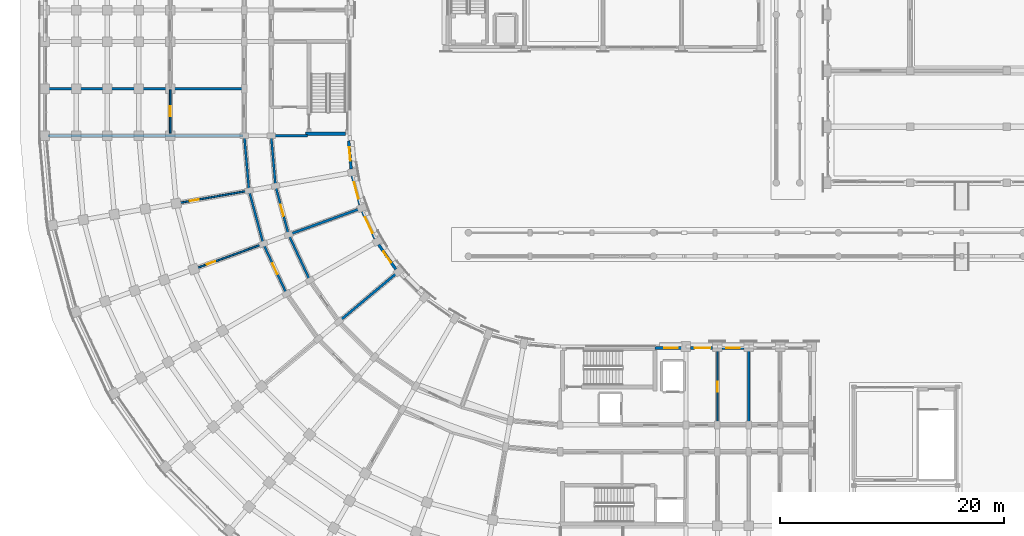
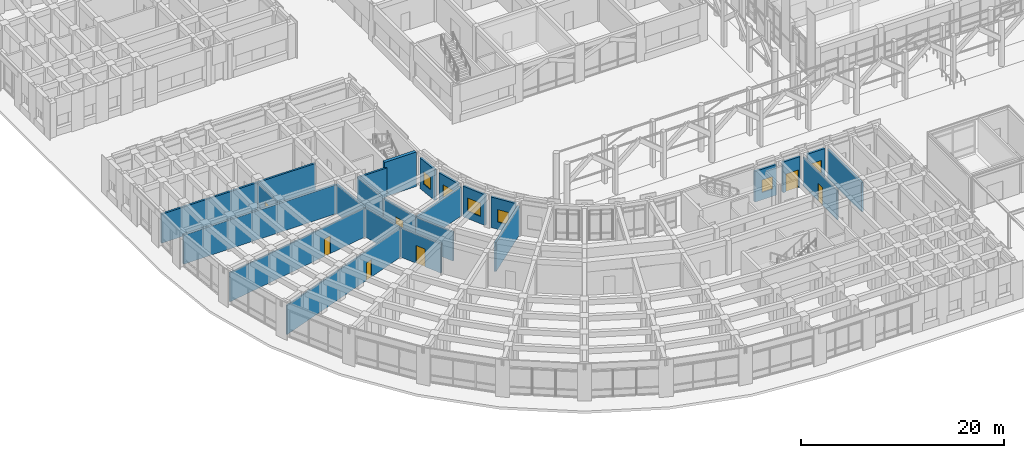
# One storey, part 91 of 135: 24 walls, 7 doors, 6 windows, 13 openings.
"""IFC4 building model written with IfcOpenShell, lengths in metres."""

from ifc_helpers import new_model, si_unit, direction, frame, frame_2d, origin, place, context, subcontext, project, spatial, rectangle, extrude, material, layer, layer_set, type_object, element, fill, save


model = new_model("IFC4")

# Units and contexts
model_context = context("Model", 3, precision=1e-05, world=origin(), true_north=direction((0.0, 1.0)))
body_context = subcontext(model_context, "Body", "Model", "MODEL_VIEW")
ifc_project = project(units=[si_unit("LENGTHUNIT", "METRE"), si_unit("AREAUNIT", "SQUARE_METRE"), si_unit("VOLUMEUNIT", "CUBIC_METRE"), si_unit("PLANEANGLEUNIT", "RADIAN"), si_unit("MASSUNIT", "GRAM", prefix="KILO")], contexts=[model_context])

# Site, building, storey
site_placement = place(None, origin())
site = spatial("IfcSite", under=ifc_project, at=site_placement, CompositionType="ELEMENT")
building_placement = place(site_placement, origin())
building = spatial("IfcBuilding", under=site, at=building_placement, Name="Kiranvali Square Residences", CompositionType="ELEMENT")
storey_placement = place(building_placement, origin())
storey = spatial("IfcBuildingStorey", under=building, at=storey_placement, Name="L00", CompositionType="ELEMENT", Elevation=0.0)

# Wall
ifc_material_1 = material(Name="Autoclaved aerated concrete blockwork masonry", Category="masonry")
ifc_layer_1 = layer(ifc_material_1, 0.199951171875)
ifc_layer_set_1 = layer_set([ifc_layer_1], Name="Autoclaved aerated concrete blockwork masonry")
wall_type_1 = type_object("IfcWallType", Name="WL-COR-200", PredefinedType="STANDARD", material=ifc_layer_set_1)
wall_1_placement = place(storey_placement, frame((25.8564453125, 35.300048828125, 0.0), z_axis=(0.0, 0.0, 1.0), x_axis=(-0.422617978463, 0.906307919131, 0.0)))
element("IfcWall", 1, at=wall_1_placement, inside=storey, type_object=wall_type_1, Name="L00 architectural wall WL-L00-C-CCI-6", PredefinedType="STANDARD", context=body_context, shape_type="SweptSolid", body=[
    extrude(rectangle(XDim=4.497314453125, YDim=0.199951171875, at=frame_2d((2.24853515625, 0.0))), origin(), (0.0, 0.0, 1.0), 3.491943359375),
])

# Wall, opening, door
wall_2_placement = place(storey_placement, frame((23.778076171875, 34.10009765625, 0.0), z_axis=(0.0, 0.0, 1.0), x_axis=(-0.422629854778, 0.906302381024, 0.0)))
wall_2 = element("IfcWall", 2, at=wall_2_placement, inside=storey, type_object=wall_type_1, Name="L00 architectural wall WL-L00-C-CCO-6", PredefinedType="STANDARD", context=body_context, shape_type="SweptSolid", body=[
    extrude(rectangle(XDim=4.915283203125, YDim=0.199951171875, at=frame_2d((2.45751953125, 0.0))), origin(), (0.0, 0.0, 1.0), 3.491943359375),
])
opening_1_placement = place(wall_2_placement, frame((1.937744140625, 0.0, 0.0)))
opening_1 = element("IfcOpeningElement", 3, at=opening_1_placement, cuts=wall_2, Name="Opening FD-APT-60B", PredefinedType="OPENING", context=body_context, shape_type="SweptSolid", body=[
    extrude(rectangle(XDim=1.0400390625, YDim=2.14990234375, at=frame_2d((0.52001953125, 1.074951171875))), frame((0.0, 0.10986328125, 0.0), z_axis=(0.0, -1.0, 0.0), x_axis=(1.0, 0.0, 0.0)), (0.0, 0.0, 1.0), 0.219970703125),
])
ifc_material_2 = material(Name="Fire-rated acoustic hardwood and mineral-core door assembly", Category="wood")
door_type_1 = type_object("IfcDoorType", Name="DR-APT-1040", OperationType="NOTDEFINED", PredefinedType="DOOR", material=ifc_material_2)
door_1_placement = place(opening_1_placement, frame((1.0400390625, 0.0, 0.0), z_axis=(0.0, 0.0, 1.0), x_axis=(-1.0, 0.0, 0.0)))
door_1 = element("IfcDoor", 4, at=door_1_placement, inside=storey, type_object=door_type_1, Name="L00 door DR-L00-1772 (DR-APT-1040)", OperationType="SINGLE_SWING_RIGHT", OverallHeight=2.14990234375, OverallWidth=1.0400390625, PredefinedType="DOOR", context=body_context, shape_type="SweptSolid", body=[
    extrude(rectangle(XDim=1.0400390625, YDim=2.14990234375, at=frame_2d((0.52001953125, 1.074951171875))), frame((0.0, 0.02490234375, 0.0), z_axis=(0.0, -1.0, 0.0), x_axis=(1.0, 0.0, 0.0)), (0.0, 0.0, 1.0), 0.050048828125),
])
fill(opening_1, door_1)

wall_3_placement = place(storey_placement, frame((23.955810546875, 39.3759765625, 0.0), z_axis=(0.0, 0.0, 1.0), x_axis=(-0.258787642463, 0.965934240054, 0.0)))
wall_3 = element("IfcWall", 5, at=wall_3_placement, inside=storey, type_object=wall_type_1, Name="L00 architectural wall WL-L00-C-CCI-7", PredefinedType="STANDARD", context=body_context, shape_type="SweptSolid", body=[
    extrude(rectangle(XDim=4.497314453125, YDim=0.199951171875, at=frame_2d((2.24853515625, 0.0))), origin(), (0.0, 0.0, 1.0), 3.491943359375),
])
opening_2_placement = place(wall_3_placement, frame((1.728515625, 0.0, 0.0)))
opening_2 = element("IfcOpeningElement", 6, at=opening_2_placement, cuts=wall_3, Name="Opening FD-APT-60B", PredefinedType="OPENING", context=body_context, shape_type="SweptSolid", body=[
    extrude(rectangle(XDim=1.0400390625, YDim=2.14990234375, at=frame_2d((0.52001953125, 1.074951171875))), frame((0.0, 0.10986328125, 0.0), z_axis=(0.0, -1.0, 0.0), x_axis=(1.0, 0.0, 0.0)), (0.0, 0.0, 1.0), 0.219970703125),
])
door_2_placement = place(opening_2_placement, frame((1.0400390625, 0.0, 0.0), z_axis=(0.0, 0.0, 1.0), x_axis=(-1.0, 0.0, 0.0)))
door_2 = element("IfcDoor", 7, at=door_2_placement, inside=storey, type_object=door_type_1, Name="L00 door DR-L00-1776 (DR-APT-1040)", OperationType="SINGLE_SWING_RIGHT", OverallHeight=2.14990234375, OverallWidth=1.0400390625, PredefinedType="DOOR", context=body_context, shape_type="SweptSolid", body=[
    extrude(rectangle(XDim=1.0400390625, YDim=2.14990234375, at=frame_2d((0.52001953125, 1.074951171875))), frame((0.0, 0.02490234375, 0.0), z_axis=(0.0, -1.0, 0.0), x_axis=(1.0, 0.0, 0.0)), (0.0, 0.0, 1.0), 0.050048828125),
])
fill(opening_2, door_2)

# Walls
wall_4_placement = place(storey_placement, frame((21.70068359375, 38.554931640625, 0.0), z_axis=(0.0, 0.0, 1.0), x_axis=(-0.258803112091, 0.965930095386, 0.0)))
element("IfcWall", 8, at=wall_4_placement, inside=storey, type_object=wall_type_1, Name="L00 architectural wall WL-L00-C-CCO-7", PredefinedType="STANDARD", context=body_context, shape_type="SweptSolid", body=[
    extrude(rectangle(XDim=4.915771484375, YDim=0.199951171875, at=frame_2d((2.4580078125, 0.0))), origin(), (0.0, 0.0, 1.0), 3.491943359375),
])
wall_5_placement = place(storey_placement, frame((22.7919921875, 43.719970703125, 0.0), z_axis=(0.0, 0.0, 1.0), x_axis=(-0.087187153726, 0.996191949488, 0.0)))
element("IfcWall", 9, at=wall_5_placement, inside=storey, type_object=wall_type_1, Name="L00 architectural wall WL-L00-C-CCI-8", PredefinedType="STANDARD", context=body_context, shape_type="SweptSolid", body=[
    extrude(rectangle(XDim=4.4970703125, YDim=0.199951171875, at=frame_2d((2.24853515625, 0.0))), origin(), (0.0, 0.0, 1.0), 3.491943359375),
])
wall_6_placement = place(storey_placement, frame((20.428466796875, 43.30322265625, 0.0), z_axis=(0.0, 0.0, 1.0), x_axis=(-0.087167566415, 0.996193663584, 0.0)))
element("IfcWall", 10, at=wall_6_placement, inside=storey, type_object=wall_type_1, Name="L00 architectural wall WL-L00-C-CCO-8", PredefinedType="STANDARD", context=body_context, shape_type="SweptSolid", body=[
    extrude(rectangle(XDim=4.91552734375, YDim=0.199951171875, at=frame_2d((2.457763671875, 0.0))), origin(), (0.0, 0.0, 1.0), 3.491943359375),
])
ifc_layer_2 = layer(ifc_material_1, 0.219970703125)
ifc_layer_set_2 = layer_set([ifc_layer_2], Name="Autoclaved aerated concrete blockwork masonry")
wall_type_2 = type_object("IfcWallType", Name="WL-DEM-220", PredefinedType="STANDARD", material=ifc_layer_set_2)
for number, where, z_axis, x_axis, name in (
    (11, (65.0, 29.199951171875, 0.0), (0.0, 0.0, 1.0), (0.0, -1.0, 0.0), "L00 architectural wall WL-L00-C-A1TI-2"),
    (12, (33.645263671875, 35.987060546875, 0.0), (0.0, 0.0, 1.0), (-0.766046761698, -0.642784846501, 0.0), "L00 architectural wall WL-L00-C-RADI-5"),
    (13, (30.345947265625, 41.70166015625, 0.0), (0.0, 0.0, 1.0), (-0.939696231917, -0.342010221662, 0.0), "L00 architectural wall WL-L00-C-RADI-7"),
):
    element("IfcWall", number, at=place(storey_placement, frame(where, z_axis=z_axis, x_axis=x_axis)), inside=storey, type_object=wall_type_2, Name=name, PredefinedType="STANDARD", context=body_context, shape_type="SweptSolid", body=[
        extrude(rectangle(XDim=6.75, YDim=0.219970703125, at=frame_2d((3.375, 0.0))), origin(), (0.0, 0.0, 1.0), 3.491943359375),
    ])
wall_7_placement = place(storey_placement, frame((25.64990234375, 48.199951171875, 0.0), z_axis=(0.0, 0.0, 1.0), x_axis=(-1.0, 0.0, 0.0)))
element("IfcWall", 14, at=wall_7_placement, inside=storey, type_object=wall_type_2, Name="L00 architectural wall WL-L00-C-RADI-9", PredefinedType="STANDARD", context=body_context, shape_type="SweptSolid", body=[
    extrude(rectangle(XDim=3.199951171875, YDim=0.219970703125, at=frame_2d((1.60009765625, 0.0))), origin(), (0.0, 0.0, 1.0), 3.491943359375),
])
wall_8_placement = place(storey_placement, frame((19.949951171875, 52.39990234375, 0.0), z_axis=(0.0, 0.0, 1.0), x_axis=(-1.0, 0.0, 0.0)))
element("IfcWall", 15, at=wall_8_placement, inside=storey, type_object=wall_type_2, Name="L00 architectural wall WL-L00-C-A2CF-MID", PredefinedType="STANDARD", context=body_context, shape_type="SweptSolid", body=[
    extrude(rectangle(XDim=17.530029296875, YDim=0.219970703125, at=frame_2d((8.76513671875, 0.0))), origin(), (0.0, 0.0, 1.0), 3.491943359375),
])
ifc_layer_3 = layer(ifc_material_1, 0.22998046875)
ifc_layer_set_3 = layer_set([ifc_layer_3], Name="Autoclaved aerated concrete blockwork masonry")
wall_type_3 = type_object("IfcWallType", Name="WL-DEM-230", PredefinedType="STANDARD", material=ifc_layer_set_3)
wall_9_placement = place(storey_placement, frame((19.89990234375, 48.199951171875, 0.0), z_axis=(0.0, 0.0, 1.0), x_axis=(-1.0, 0.0, 0.0)))
element("IfcWall", 16, at=wall_9_placement, inside=storey, type_object=wall_type_3, Name="L00 architectural wall WL-L00-C-RADO-9", PredefinedType="STANDARD", context=body_context, shape_type="SweptSolid", body=[
    extrude(rectangle(XDim=17.419921875, YDim=0.22998046875, at=frame_2d((8.7099609375, 0.0))), origin(), (0.0, 0.0, 1.0), 3.491943359375),
])

# Wall, opening, window
ifc_material_3 = material(Name="Breathable lime-rendered clay brick masonry", Category="masonry")
ifc_layer_4 = layer(ifc_material_3, 0.25)
ifc_layer_set_4 = layer_set([ifc_layer_4], Name="Breathable lime-rendered clay brick masonry")
wall_type_4 = type_object("IfcWallType", Name="WL-EXT-250", PredefinedType="STANDARD", material=ifc_layer_set_4)
wall_10_placement = place(storey_placement, frame((33.521728515625, 36.292724609375, 0.0), z_axis=(0.0, 0.0, 1.0), x_axis=(-0.573591230309, 0.819141685249, 0.0)))
wall_10 = element("IfcWall", 17, at=wall_10_placement, inside=storey, type_object=wall_type_4, Name="L00 exterior wall C-L00-GDN-05", PredefinedType="STANDARD", context=body_context, shape_type="SweptSolid", body=[
    extrude(rectangle(XDim=2.669677734375, YDim=0.25, at=frame_2d((1.3349609375, 0.0))), origin(), (0.0, 0.0, 1.0), 3.69189453125),
])
opening_3_placement = place(wall_10_placement, frame((0.73486328125, 0.0, 0.8798828125)))
opening_3 = element("IfcOpeningElement", 18, at=opening_3_placement, cuts=wall_10, Name="Opening W-06", PredefinedType="OPENING", context=body_context, shape_type="SweptSolid", body=[
    extrude(rectangle(XDim=1.199951171875, YDim=1.5, at=frame_2d((0.60009765625, 0.75))), frame((0.0, 0.135009765625, 0.0), z_axis=(0.0, -1.0, 0.0), x_axis=(1.0, 0.0, 0.0)), (0.0, 0.0, 1.0), 0.27001953125),
])
ifc_material_4 = material(Name="Solar-control low-e double glazing", Category="glass")
window_type_1 = type_object("IfcWindowType", Name="WIN-RES-1200x1500", PartitioningType="SINGLE_PANEL", PredefinedType="WINDOW", material=ifc_material_4)
window_1_placement = place(opening_3_placement, origin())
window_1 = element("IfcWindow", 19, at=window_1_placement, inside=storey, type_object=window_type_1, Name="L00 recessed window C-L00-GDN-05", OverallHeight=1.5, OverallWidth=1.199951171875, PartitioningType="SINGLE_PANEL", PredefinedType="WINDOW", context=body_context, shape_type="SweptSolid", body=[
    extrude(rectangle(XDim=1.199951171875, YDim=1.5, at=frame_2d((0.60009765625, 0.75))), frame((0.0, 0.030029296875, 0.0), z_axis=(0.0, -1.0, 0.0), x_axis=(1.0, 0.0, 0.0)), (0.0, 0.0, 1.0), 0.06005859375),
])
fill(opening_3, window_1)

wall_11_placement = place(storey_placement, frame((31.677001953125, 39.0224609375, 0.0), z_axis=(0.0, 0.0, 1.0), x_axis=(-0.422610081738, 0.90631160139, 0.0)))
wall_11 = element("IfcWall", 20, at=wall_11_placement, inside=storey, type_object=wall_type_4, Name="L00 exterior wall C-L00-GDN-06", PredefinedType="STANDARD", context=body_context, shape_type="SweptSolid", body=[
    extrude(rectangle(XDim=2.66943359375, YDim=0.25, at=frame_2d((1.334716796875, 0.0))), origin(), (0.0, 0.0, 1.0), 3.69189453125),
])
opening_4_placement = place(wall_11_placement, frame((0.559814453125, 0.0, 0.8798828125)))
opening_4 = element("IfcOpeningElement", 21, at=opening_4_placement, cuts=wall_11, Name="Opening W-18", PredefinedType="OPENING", context=body_context, shape_type="SweptSolid", body=[
    extrude(rectangle(XDim=1.550048828125, YDim=1.60009765625, at=frame_2d((0.77490234375, 0.800048828125))), frame((0.0, 0.135009765625, 0.0), z_axis=(0.0, -1.0, 0.0), x_axis=(1.0, 0.0, 0.0)), (0.0, 0.0, 1.0), 0.27001953125),
])
window_type_2 = type_object("IfcWindowType", Name="WIN-GDN-1550x1600", PartitioningType="DOUBLE_PANEL_VERTICAL", PredefinedType="WINDOW", material=ifc_material_4)
window_2_placement = place(opening_4_placement, origin())
window_2 = element("IfcWindow", 22, at=window_2_placement, inside=storey, type_object=window_type_2, Name="L00 recessed window C-L00-GDN-06", OverallHeight=1.60009765625, OverallWidth=1.550048828125, PartitioningType="DOUBLE_PANEL_VERTICAL", PredefinedType="WINDOW", context=body_context, shape_type="SweptSolid", body=[
    extrude(rectangle(XDim=1.550048828125, YDim=1.60009765625, at=frame_2d((0.77490234375, 0.800048828125))), frame((0.0, 0.030029296875, 0.0), z_axis=(0.0, -1.0, 0.0), x_axis=(1.0, 0.0, 0.0)), (0.0, 0.0, 1.0), 0.06005859375),
])
fill(opening_4, window_2)

wall_12_placement = place(storey_placement, frame((30.33447265625, 42.031005859375, 0.0), z_axis=(0.0, 0.0, 1.0), x_axis=(-0.258812272661, 0.965927640934, 0.0)))
wall_12 = element("IfcWall", 23, at=wall_12_placement, inside=storey, type_object=wall_type_4, Name="L00 exterior wall C-L00-GDN-07", PredefinedType="STANDARD", context=body_context, shape_type="SweptSolid", body=[
    extrude(rectangle(XDim=2.669677734375, YDim=0.25, at=frame_2d((1.3349609375, 0.0))), origin(), (0.0, 0.0, 1.0), 3.69189453125),
])
opening_5_placement = place(wall_12_placement, frame((0.584716796875, 0.0, 0.8798828125)))
opening_5 = element("IfcOpeningElement", 24, at=opening_5_placement, cuts=wall_12, Name="Opening W-05", PredefinedType="OPENING", context=body_context, shape_type="SweptSolid", body=[
    extrude(rectangle(XDim=1.5, YDim=1.64990234375, at=frame_2d((0.75, 0.824951171875))), frame((0.0, 0.135009765625, 0.0), z_axis=(0.0, -1.0, 0.0), x_axis=(1.0, 0.0, 0.0)), (0.0, 0.0, 1.0), 0.27001953125),
])
window_type_3 = type_object("IfcWindowType", Name="WIN-RES-1500x1650", PartitioningType="DOUBLE_PANEL_VERTICAL", PredefinedType="WINDOW", material=ifc_material_4)
window_3_placement = place(opening_5_placement, origin())
window_3 = element("IfcWindow", 25, at=window_3_placement, inside=storey, type_object=window_type_3, Name="L00 recessed window C-L00-GDN-07", OverallHeight=1.64990234375, OverallWidth=1.5, PartitioningType="DOUBLE_PANEL_VERTICAL", PredefinedType="WINDOW", context=body_context, shape_type="SweptSolid", body=[
    extrude(rectangle(XDim=1.5, YDim=1.64990234375, at=frame_2d((0.75, 0.824951171875))), frame((0.0, 0.030029296875, 0.0), z_axis=(0.0, -1.0, 0.0), x_axis=(1.0, 0.0, 0.0)), (0.0, 0.0, 1.0), 0.06005859375),
])
fill(opening_5, window_3)

wall_13_placement = place(storey_placement, frame((29.53466796875, 45.22705078125, 0.0), z_axis=(0.0, 0.0, 1.0), x_axis=(-0.087215965161, 0.996189427479, 0.0)))
wall_13 = element("IfcWall", 26, at=wall_13_placement, inside=storey, type_object=wall_type_4, Name="L00 exterior wall C-L00-GDN-08", PredefinedType="STANDARD", context=body_context, shape_type="SweptSolid", body=[
    extrude(rectangle(XDim=2.533447265625, YDim=0.25, at=frame_2d((1.2666015625, 0.0))), origin(), (0.0, 0.0, 1.0), 3.69189453125),
])
opening_6_placement = place(wall_13_placement, frame((0.73486328125, 0.0, 0.8798828125)))
opening_6 = element("IfcOpeningElement", 27, at=opening_6_placement, cuts=wall_13, Name="Opening W-06", PredefinedType="OPENING", context=body_context, shape_type="SweptSolid", body=[
    extrude(rectangle(XDim=1.199951171875, YDim=1.5, at=frame_2d((0.60009765625, 0.75))), frame((0.0, 0.135009765625, 0.0), z_axis=(0.0, -1.0, 0.0), x_axis=(1.0, 0.0, 0.0)), (0.0, 0.0, 1.0), 0.27001953125),
])
window_4_placement = place(opening_6_placement, origin())
window_4 = element("IfcWindow", 28, at=window_4_placement, inside=storey, type_object=window_type_1, Name="L00 recessed window C-L00-GDN-08", OverallHeight=1.5, OverallWidth=1.199951171875, PartitioningType="SINGLE_PANEL", PredefinedType="WINDOW", context=body_context, shape_type="SweptSolid", body=[
    extrude(rectangle(XDim=1.199951171875, YDim=1.5, at=frame_2d((0.60009765625, 0.75))), frame((0.0, 0.030029296875, 0.0), z_axis=(0.0, -1.0, 0.0), x_axis=(1.0, 0.0, 0.0)), (0.0, 0.0, 1.0), 0.06005859375),
])
fill(opening_6, window_4)

wall_14_placement = place(storey_placement, frame((56.62841796875, 29.27490234375, 0.0), z_axis=(0.0, 0.0, 1.0), x_axis=(1.0, 0.0, 0.0)))
wall_14 = element("IfcWall", 29, at=wall_14_placement, inside=storey, type_object=wall_type_4, Name="L00 exterior wall C-L00-A1IN-0", PredefinedType="STANDARD", context=body_context, shape_type="SweptSolid", body=[
    extrude(rectangle(XDim=2.421630859375, YDim=0.25, at=frame_2d((1.2109375, 0.0))), origin(), (0.0, 0.0, 1.0), 3.69189453125),
])
opening_7_placement = place(wall_14_placement, frame((0.821533203125, 0.0, 0.8798828125)))
opening_7 = element("IfcOpeningElement", 30, at=opening_7_placement, cuts=wall_14, Name="Opening W-06", PredefinedType="OPENING", context=body_context, shape_type="SweptSolid", body=[
    extrude(rectangle(XDim=1.199951171875, YDim=1.5, at=frame_2d((0.60009765625, 0.75))), frame((0.0, 0.135009765625, 0.0), z_axis=(0.0, -1.0, 0.0), x_axis=(1.0, 0.0, 0.0)), (0.0, 0.0, 1.0), 0.27001953125),
])
window_5_placement = place(opening_7_placement, origin())
window_5 = element("IfcWindow", 31, at=window_5_placement, inside=storey, type_object=window_type_1, Name="L00 recessed window C-L00-A1IN-0", OverallHeight=1.5, OverallWidth=1.199951171875, PartitioningType="SINGLE_PANEL", PredefinedType="WINDOW", context=body_context, shape_type="SweptSolid", body=[
    extrude(rectangle(XDim=1.199951171875, YDim=1.5, at=frame_2d((0.60009765625, 0.75))), frame((0.0, 0.030029296875, 0.0), z_axis=(0.0, -1.0, 0.0), x_axis=(1.0, 0.0, 0.0)), (0.0, 0.0, 1.0), 0.06005859375),
])
fill(opening_7, window_5)

# Wall, opening, door
wall_15_placement = place(storey_placement, frame((59.820068359375, 29.27490234375, 0.0), z_axis=(0.0, 0.0, 1.0), x_axis=(1.0, 0.0, 0.0)))
wall_15 = element("IfcWall", 32, at=wall_15_placement, inside=storey, type_object=wall_type_4, Name="L00 exterior wall C-L00-A1I-0", PredefinedType="STANDARD", context=body_context, shape_type="SweptSolid", body=[
    extrude(rectangle(XDim=1.9599609375, YDim=0.25, at=frame_2d((0.97998046875, 0.0))), origin(), (0.0, 0.0, 1.0), 3.69189453125),
])
opening_8_placement = place(wall_15_placement, frame((0.35009765625, 0.0, 0.0)))
opening_8 = element("IfcOpeningElement", 33, at=opening_8_placement, cuts=wall_15, Name="Opening ED-EX-140", PredefinedType="OPENING", context=body_context, shape_type="SweptSolid", body=[
    extrude(rectangle(XDim=1.39990234375, YDim=2.14990234375, at=frame_2d((0.699951171875, 1.074951171875))), frame((0.0, 0.135009765625, 0.0), z_axis=(0.0, -1.0, 0.0), x_axis=(1.0, 0.0, 0.0)), (0.0, 0.0, 1.0), 0.27001953125),
])
door_type_2 = type_object("IfcDoorType", Name="DR-EXIT-1400", OperationType="NOTDEFINED", PredefinedType="DOOR", material=ifc_material_2)
door_3_placement = place(opening_8_placement, origin())
door_3 = element("IfcDoor", 34, at=door_3_placement, inside=storey, type_object=door_type_2, Name="Block C garden promenade exit door", OperationType="SINGLE_SWING_LEFT", OverallHeight=2.14990234375, OverallWidth=1.39990234375, PredefinedType="DOOR", context=body_context, shape_type="SweptSolid", body=[
    extrude(rectangle(XDim=1.39990234375, YDim=2.14990234375, at=frame_2d((0.699951171875, 1.074951171875))), frame((0.0, 0.02490234375, 0.0), z_axis=(0.0, -1.0, 0.0), x_axis=(1.0, 0.0, 0.0)), (0.0, 0.0, 1.0), 0.050048828125),
])
fill(opening_8, door_3)

# Wall, opening, window
wall_16_placement = place(storey_placement, frame((62.6201171875, 29.27490234375, 0.0), z_axis=(0.0, 0.0, 1.0), x_axis=(1.0, 0.0, 0.0)))
wall_16 = element("IfcWall", 35, at=wall_16_placement, inside=storey, type_object=wall_type_4, Name="L00 exterior wall C-L00-A1I-1", PredefinedType="STANDARD", context=body_context, shape_type="SweptSolid", body=[
    extrude(rectangle(XDim=1.9599609375, YDim=0.25, at=frame_2d((0.97998046875, 0.0))), origin(), (0.0, 0.0, 1.0), 3.69189453125),
])
opening_9_placement = place(wall_16_placement, frame((0.3798828125, 0.0, 0.8798828125)))
opening_9 = element("IfcOpeningElement", 36, at=opening_9_placement, cuts=wall_16, Name="Opening W-06", PredefinedType="OPENING", context=body_context, shape_type="SweptSolid", body=[
    extrude(rectangle(XDim=1.199951171875, YDim=1.5, at=frame_2d((0.60009765625, 0.75))), frame((0.0, 0.135009765625, 0.0), z_axis=(0.0, -1.0, 0.0), x_axis=(1.0, 0.0, 0.0)), (0.0, 0.0, 1.0), 0.27001953125),
])
window_6_placement = place(opening_9_placement, origin())
window_6 = element("IfcWindow", 37, at=window_6_placement, inside=storey, type_object=window_type_1, Name="L00 recessed window C-L00-A1I-1", OverallHeight=1.5, OverallWidth=1.199951171875, PartitioningType="SINGLE_PANEL", PredefinedType="WINDOW", context=body_context, shape_type="SweptSolid", body=[
    extrude(rectangle(XDim=1.199951171875, YDim=1.5, at=frame_2d((0.60009765625, 0.75))), frame((0.0, 0.030029296875, 0.0), z_axis=(0.0, -1.0, 0.0), x_axis=(1.0, 0.0, 0.0)), (0.0, 0.0, 1.0), 0.06005859375),
])
fill(opening_9, window_6)

# Wall, opening, door
ifc_material_5 = material(Name="Acoustic gypsum board drylined partition", Category="gypsum")
ifc_layer_5 = layer(ifc_material_5, 0.14990234375)
ifc_layer_set_5 = layer_set([ifc_layer_5], Name="Acoustic gypsum board drylined partition")
wall_type_5 = type_object("IfcWallType", Name="WL-PRT-150", PredefinedType="PARTITIONING", material=ifc_layer_set_5)
wall_17_placement = place(storey_placement, frame((62.199951171875, 29.199951171875, 0.0), z_axis=(0.0, 0.0, 1.0), x_axis=(0.0, -1.0, 0.0)))
wall_17 = element("IfcWall", 38, at=wall_17_placement, inside=storey, type_object=wall_type_5, Name="L00 architectural wall WL-L00-C-A1TI-1", PredefinedType="PARTITIONING", context=body_context, shape_type="SweptSolid", body=[
    extrude(rectangle(XDim=6.75, YDim=0.14990234375, at=frame_2d((3.375, 0.0))), origin(), (0.0, 0.0, 1.0), 3.491943359375),
])
opening_10_placement = place(wall_17_placement, frame((2.925048828125, 0.0, 0.0)))
opening_10 = element("IfcOpeningElement", 39, at=opening_10_placement, cuts=wall_17, Name="Opening ID-1", PredefinedType="OPENING", context=body_context, shape_type="SweptSolid", body=[
    extrude(rectangle(XDim=0.89990234375, YDim=2.10009765625, at=frame_2d((0.449951171875, 1.050048828125))), frame((0.0, 0.0849609375, 0.0), z_axis=(0.0, -1.0, 0.0), x_axis=(1.0, 0.0, 0.0)), (0.0, 0.0, 1.0), 0.169921875),
])
ifc_material_6 = material(Name="Solid seasoned teak hardwood joinery", Category="wood")
door_type_3 = type_object("IfcDoorType", Name="DR-INT-900", OperationType="NOTDEFINED", PredefinedType="DOOR", material=ifc_material_6)
door_4_placement = place(opening_10_placement, origin())
door_4 = element("IfcDoor", 40, at=door_4_placement, inside=storey, type_object=door_type_3, Name="L00 door DR-L00-1757 (DR-INT-900)", OperationType="SINGLE_SWING_LEFT", OverallHeight=2.10009765625, OverallWidth=0.89990234375, PredefinedType="DOOR", context=body_context, shape_type="SweptSolid", body=[
    extrude(rectangle(XDim=0.89990234375, YDim=2.10009765625, at=frame_2d((0.449951171875, 1.050048828125))), frame((0.0, 0.02490234375, 0.0), z_axis=(0.0, -1.0, 0.0), x_axis=(1.0, 0.0, 0.0)), (0.0, 0.0, 1.0), 0.050048828125),
])
fill(opening_10, door_4)

wall_18_placement = place(storey_placement, frame((21.606689453125, 38.520751953125, 0.0), z_axis=(0.0, 0.0, 1.0), x_axis=(-0.939691901159, -0.342022120477, 0.0)))
wall_18 = element("IfcWall", 41, at=wall_18_placement, inside=storey, type_object=wall_type_5, Name="L00 architectural wall WL-L00-C-RADO-7", PredefinedType="PARTITIONING", context=body_context, shape_type="SweptSolid", body=[
    extrude(rectangle(XDim=17.419921875, YDim=0.14990234375, at=frame_2d((8.7099609375, 0.0))), origin(), (0.0, 0.0, 1.0), 3.491943359375),
])
opening_11_placement = place(wall_18_placement, frame((4.44970703125, 0.0, 0.0)))
opening_11 = element("IfcOpeningElement", 42, at=opening_11_placement, cuts=wall_18, Name="Opening ID-WET", PredefinedType="OPENING", context=body_context, shape_type="SweptSolid", body=[
    extrude(rectangle(XDim=0.800048828125, YDim=2.10009765625, at=frame_2d((0.39990234375, 1.050048828125))), frame((0.0, 0.0849609375, 0.0), z_axis=(0.0, -1.0, 0.0), x_axis=(1.0, 0.0, 0.0)), (0.0, 0.0, 1.0), 0.169921875),
])
door_type_4 = type_object("IfcDoorType", Name="DR-WET-800", OperationType="NOTDEFINED", PredefinedType="DOOR", material=ifc_material_6)
door_5_placement = place(opening_11_placement, origin())
door_5 = element("IfcDoor", 43, at=door_5_placement, inside=storey, type_object=door_type_4, Name="L00 door DR-L00-1767 (DR-WET-800)", OperationType="SINGLE_SWING_LEFT", OverallHeight=2.10009765625, OverallWidth=0.800048828125, PredefinedType="DOOR", context=body_context, shape_type="SweptSolid", body=[
    extrude(rectangle(XDim=0.800048828125, YDim=2.10009765625, at=frame_2d((0.39990234375, 1.050048828125))), frame((0.0, 0.02490234375, 0.0), z_axis=(0.0, -1.0, 0.0), x_axis=(1.0, 0.0, 0.0)), (0.0, 0.0, 1.0), 0.050048828125),
])
fill(opening_11, door_5)

wall_19_placement = place(storey_placement, frame((20.329833984375, 43.28564453125, 0.0), z_axis=(0.0, 0.0, 1.0), x_axis=(-0.984808098809, -0.173646216546, 0.0)))
wall_19 = element("IfcWall", 44, at=wall_19_placement, inside=storey, type_object=wall_type_5, Name="L00 architectural wall WL-L00-C-RADO-8", PredefinedType="PARTITIONING", context=body_context, shape_type="SweptSolid", body=[
    extrude(rectangle(XDim=17.419921875, YDim=0.14990234375, at=frame_2d((8.7099609375, 0.0))), origin(), (0.0, 0.0, 1.0), 3.491943359375),
])
opening_12_placement = place(wall_19_placement, frame((4.44970703125, 0.0, 0.0)))
opening_12 = element("IfcOpeningElement", 45, at=opening_12_placement, cuts=wall_19, Name="Opening ID-WET", PredefinedType="OPENING", context=body_context, shape_type="SweptSolid", body=[
    extrude(rectangle(XDim=0.800048828125, YDim=2.10009765625, at=frame_2d((0.39990234375, 1.050048828125))), frame((0.0, 0.0849609375, 0.0), z_axis=(0.0, -1.0, 0.0), x_axis=(1.0, 0.0, 0.0)), (0.0, 0.0, 1.0), 0.169921875),
])
door_6_placement = place(opening_12_placement, frame((0.800048828125, 0.0, 0.0), z_axis=(0.0, 0.0, 1.0), x_axis=(-1.0, 0.0, 0.0)))
door_6 = element("IfcDoor", 46, at=door_6_placement, inside=storey, type_object=door_type_4, Name="L00 door DR-L00-1768 (DR-WET-800)", OperationType="SINGLE_SWING_RIGHT", OverallHeight=2.10009765625, OverallWidth=0.800048828125, PredefinedType="DOOR", context=body_context, shape_type="SweptSolid", body=[
    extrude(rectangle(XDim=0.800048828125, YDim=2.10009765625, at=frame_2d((0.39990234375, 1.050048828125))), frame((0.0, 0.02490234375, 0.0), z_axis=(0.0, -1.0, 0.0), x_axis=(1.0, 0.0, 0.0)), (0.0, 0.0, 1.0), 0.050048828125),
])
fill(opening_12, door_6)

wall_20_placement = place(storey_placement, frame((13.39990234375, 48.429931640625, 0.0), z_axis=(0.0, 0.0, 1.0), x_axis=(0.0, 1.0, 0.0)))
wall_20 = element("IfcWall", 47, at=wall_20_placement, inside=storey, type_object=wall_type_5, Name="L00 architectural wall WL-L00-C-A2CF-SP0", PredefinedType="PARTITIONING", context=body_context, shape_type="SweptSolid", body=[
    extrude(rectangle(XDim=3.89013671875, YDim=0.14990234375, at=frame_2d((1.945068359375, 0.0))), origin(), (0.0, 0.0, 1.0), 3.491943359375),
])
opening_13_placement = place(wall_20_placement, frame((1.4951171875, 0.0, 0.0)))
opening_13 = element("IfcOpeningElement", 48, at=opening_13_placement, cuts=wall_20, Name="Opening ID-1", PredefinedType="OPENING", context=body_context, shape_type="SweptSolid", body=[
    extrude(rectangle(XDim=0.89990234375, YDim=2.10009765625, at=frame_2d((0.449951171875, 1.050048828125))), frame((0.0, 0.0849609375, 0.0), z_axis=(0.0, -1.0, 0.0), x_axis=(1.0, 0.0, 0.0)), (0.0, 0.0, 1.0), 0.169921875),
])
door_7_placement = place(opening_13_placement, frame((0.89990234375, 0.0, 0.0), z_axis=(0.0, 0.0, 1.0), x_axis=(-1.0, 0.0, 0.0)))
door_7 = element("IfcDoor", 49, at=door_7_placement, inside=storey, type_object=door_type_3, Name="L00 door DR-L00-1778 (DR-INT-900)", OperationType="SINGLE_SWING_RIGHT", OverallHeight=2.10009765625, OverallWidth=0.89990234375, PredefinedType="DOOR", context=body_context, shape_type="SweptSolid", body=[
    extrude(rectangle(XDim=0.89990234375, YDim=2.10009765625, at=frame_2d((0.449951171875, 1.050048828125))), frame((0.0, 0.02490234375, 0.0), z_axis=(0.0, -1.0, 0.0), x_axis=(1.0, 0.0, 0.0)), (0.0, 0.0, 1.0), 0.050048828125),
])
fill(opening_13, door_7)

# Wall
ifc_material_7 = material(Name="Concrete M50 (50 MPa)", Category="concrete")
ifc_layer_6 = layer(ifc_material_7, 0.35009765625)
ifc_layer_set_6 = layer_set([ifc_layer_6], Name="Concrete M50 (50 MPa)")
wall_type_6 = type_object("IfcWallType", Name="WL-SHR-350", PredefinedType="SHEAR", material=ifc_layer_set_6)
wall_21_placement = place(storey_placement, frame((29.050048828125, 48.375, 0.0), z_axis=(0.0, 0.0, 1.0), x_axis=(-1.0, 0.0, 0.0)))
element("IfcWall", 50, at=wall_21_placement, inside=storey, type_object=wall_type_6, Name="Block C core shear wall SW-C3-NEAR-L00", PredefinedType="SHEAR", context=body_context, shape_type="SweptSolid", body=[
    extrude(rectangle(XDim=3.60009765625, YDim=0.35009765625, at=frame_2d((1.800048828125, 0.0))), origin(), (0.0, 0.0, 1.0), 4.14990234375),
])

save(model, "model.ifc")
